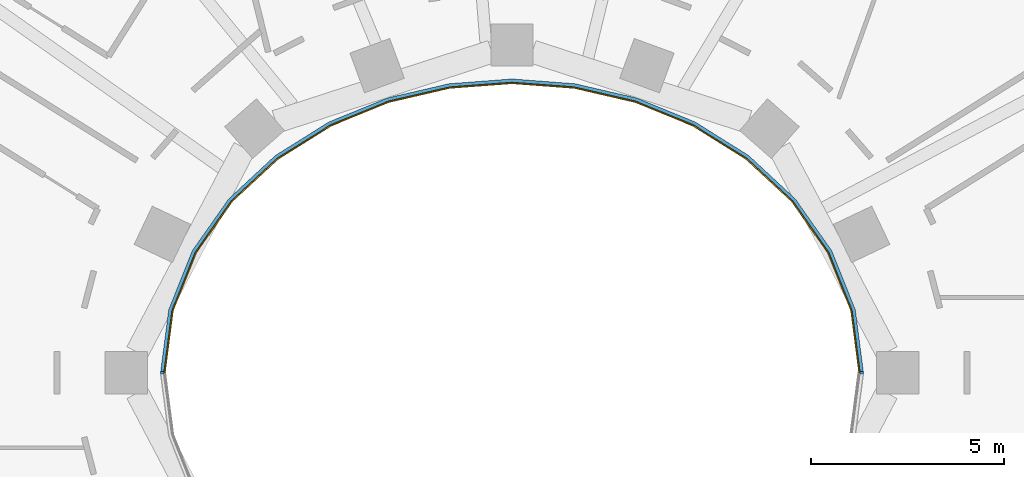
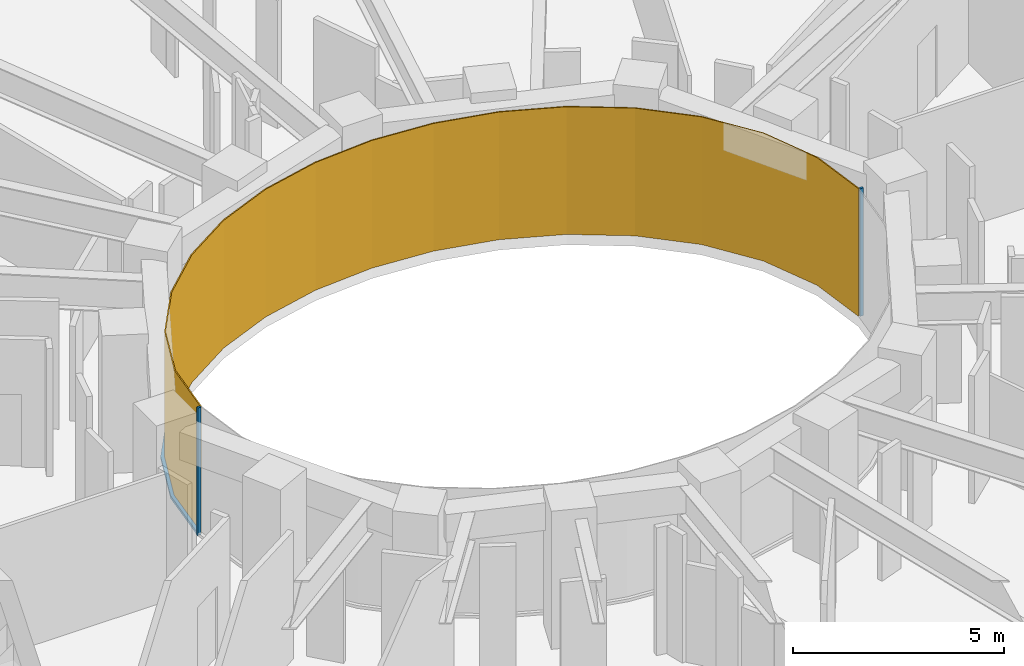
# One storey, part 12 of 16: 3 members, 1 curtain wall.
"""IFC4 building model written with IfcOpenShell, lengths in metres."""

from ifc_helpers import new_model, si_unit, direction, frame, origin, origin_2d, place, context, subcontext, project, spatial, polyline, rectangle, outline, extrude, material, layer, layer_set, material_profile, profile_set, type_object, element, aggregate, save


model = new_model("IFC4")

# Units and contexts
model_context = context("Model", 3, precision=1e-05, world=origin(), true_north=direction((0.0, 1.0)))
body_context = subcontext(model_context, "Body", "Model", "MODEL_VIEW")
ifc_project = project(units=[si_unit("LENGTHUNIT", "METRE"), si_unit("AREAUNIT", "SQUARE_METRE"), si_unit("VOLUMEUNIT", "CUBIC_METRE"), si_unit("PLANEANGLEUNIT", "RADIAN"), si_unit("MASSUNIT", "GRAM", prefix="KILO")], contexts=[model_context])

# Member
ifc_material_1 = material(Name="Steel S355 fire-resisting frame", Category="steel")
ifc_material_profile = material_profile(ifc_material_1, rectangle(XDim=0.090087890625, YDim=0.06005859375, at=origin_2d()), Name="90x60")
ifc_profile_set = profile_set([ifc_material_profile], Name="Steel S355 fire-resisting frame")
member_type_1 = type_object("IfcMemberType", Name="ENV-MULLION-W-90", PredefinedType="MULLION", material=ifc_profile_set)
site_placement = place(None, origin())
building_placement = place(site_placement, origin())
storey_placement = place(building_placement, frame((0.0, 0.0, 154.0)))
member_1_placement = place(storey_placement, frame((9.076904296875, 0.0, 0.0), z_axis=(0.0, 0.0, 1.0), x_axis=(1.0, 0.0, 0.0)))
member_1 = element("IfcMember", 1, at=member_1_placement, type_object=member_type_1, Name="Mullion W well vertex 01", PredefinedType="MULLION", context=body_context, shape_type="SweptSolid", body=[
    extrude(rectangle(XDim=0.090087890625, YDim=0.06005859375, at=origin_2d()), origin(), (0.0, 0.0, 1.0), 3.699951171875),
])

member_2_placement = place(storey_placement, frame((-9.076904296875, 0.0, 0.0), z_axis=(0.0, 0.0, 1.0), x_axis=(-1.0, 0.0, 0.0)))
member_2 = element("IfcMember", 2, at=member_2_placement, type_object=member_type_1, Name="Mullion W well vertex 17", PredefinedType="MULLION", context=body_context, shape_type="SweptSolid", body=[
    extrude(rectangle(XDim=0.090087890625, YDim=0.06005859375, at=origin_2d()), origin(), (0.0, 0.0, 1.0), 3.699951171875),
])

ifc_material_2 = material(Name="Steel S355 fire-resisting frame", Category="steel")
member_type_2 = type_object("IfcMemberType", Name="ENV-TRANSOM-W", PredefinedType="USERDEFINED", material=ifc_material_2)
member_3_placement = place(storey_placement, origin())
member_3 = element("IfcMember", 3, at=member_3_placement, type_object=member_type_2, Name="Transom W well 01-17", ObjectType="TRANSOM", PredefinedType="USERDEFINED", context=body_context, shape_type="SweptSolid", body=[
    extrude(outline(polyline([(9.119384765625, 0.02783203125), (8.910400390625, 1.63623046875), (8.29833984375, 3.167236328125), (7.35107421875, 4.5146484375), (6.1455078125, 5.6337890625), (4.75341796875, 6.50634765625), (3.233642578125, 7.127685546875), (1.635498046875, 7.498779296875), (0.0, 7.622314453125), (-1.635498046875, 7.498779296875), (-3.233642578125, 7.127685546875), (-4.75341796875, 6.50634765625), (-6.1455078125, 5.6337890625), (-7.35107421875, 4.5146484375), (-8.29833984375, 3.167236328125), (-8.910400390625, 1.63623046875), (-9.119384765625, 0.02783203125), (-9.02880859375, 0.02783203125), (-8.822509765625, 1.61328125), (-8.21875, 3.124267578125), (-7.282958984375, 4.455078125), (-6.090576171875, 5.56201171875), (-4.712158203125, 6.426025390625), (-3.206298828125, 7.04150390625), (-1.621826171875, 7.40966796875), (0.0, 7.531982421875), (1.621826171875, 7.40966796875), (3.206298828125, 7.04150390625), (4.712158203125, 6.426025390625), (6.090576171875, 5.56201171875), (7.282958984375, 4.455078125), (8.21875, 3.124267578125), (8.822509765625, 1.61328125), (9.02880859375, 0.02783203125), (9.119384765625, 0.02783203125)])), origin(), (0.0, 0.0, 1.0), 0.080078125),
])

# Site, building, storey
site = spatial("IfcSite", under=ifc_project, at=site_placement, CompositionType="ELEMENT")
building = spatial("IfcBuilding", under=site, at=building_placement, Name="Noorbagh Ring Tower", CompositionType="ELEMENT")
storey = spatial("IfcBuildingStorey", under=building, at=storey_placement, Name="L35", CompositionType="ELEMENT", Elevation=154.0)

# Curtain wall
ifc_material_3 = material(Name="Glass fire-resisting E60 laminated", Category="glass")
ifc_layer = layer(ifc_material_3, 0.031982421875)
ifc_layer_set = layer_set([ifc_layer], Name="Glass fire-resisting E60 laminated")
curtain_wall_type = type_object("IfcCurtainWallType", Name="ENV-CW-W", PredefinedType="NOTDEFINED", material=ifc_layer_set)
curtain_wall_placement = place(storey_placement, origin())
curtain_wall = element("IfcCurtainWall", 4, at=curtain_wall_placement, inside=storey, type_object=curtain_wall_type, Name="Curtain wall W W01", PredefinedType="NOTDEFINED", context=body_context, shape_type="SweptSolid", body=[
    extrude(outline(polyline([(9.0322265625, 0.0), (8.822509765625, 1.61328125), (8.21875, 3.124267578125), (7.282958984375, 4.455078125), (6.090576171875, 5.56201171875), (4.712158203125, 6.426025390625), (3.206298828125, 7.04150390625), (1.621826171875, 7.40966796875), (0.0, 7.531982421875), (-1.621826171875, 7.40966796875), (-3.206298828125, 7.04150390625), (-4.712158203125, 6.426025390625), (-6.090576171875, 5.56201171875), (-7.282958984375, 4.455078125), (-8.21875, 3.124267578125), (-8.822509765625, 1.61328125), (-9.0322265625, 0.0), (-9.0, 0.0), (-8.79150390625, 1.605224609375), (-8.1904296875, 3.10888671875), (-7.2587890625, 4.43408203125), (-6.071044921875, 5.53662109375), (-4.697509765625, 6.3974609375), (-3.196533203125, 7.010986328125), (-1.6171875, 7.3779296875), (0.0, 7.5), (1.6171875, 7.3779296875), (3.196533203125, 7.010986328125), (4.697509765625, 6.3974609375), (6.071044921875, 5.53662109375), (7.2587890625, 4.43408203125), (8.1904296875, 3.10888671875), (8.79150390625, 1.605224609375), (9.0, 0.0), (9.0322265625, 0.0)])), origin(), (0.0, 0.0, 1.0), 3.699951171875),
])

aggregate(curtain_wall, [member_1, member_2, member_3])

save(model, "model.ifc")
